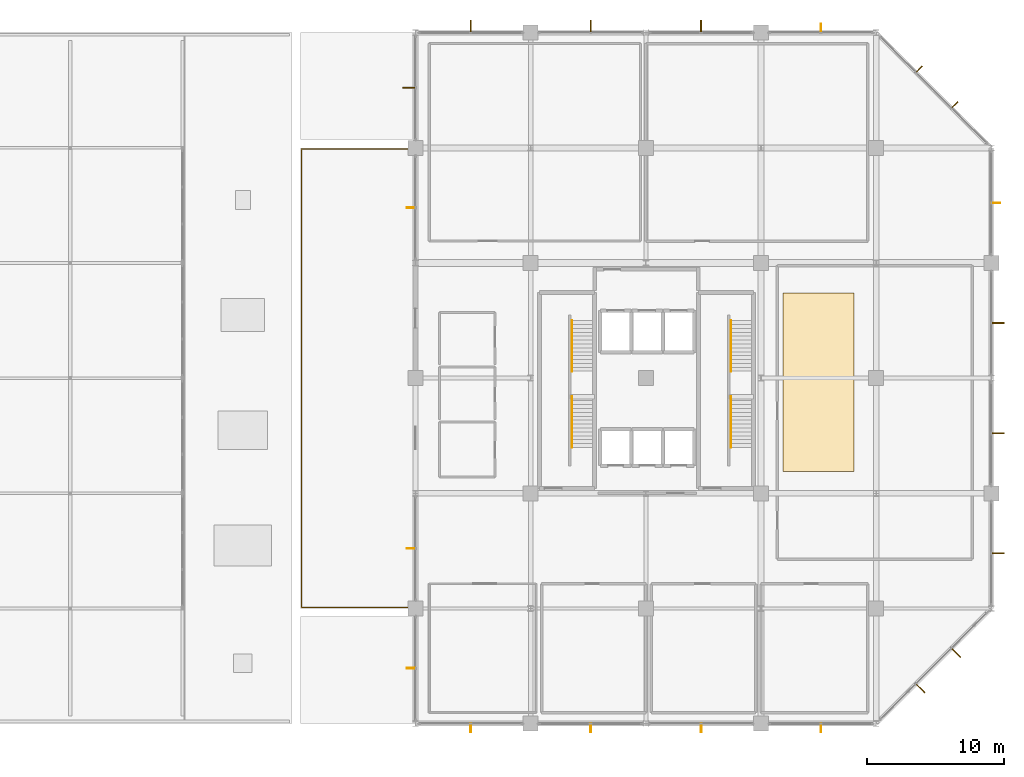
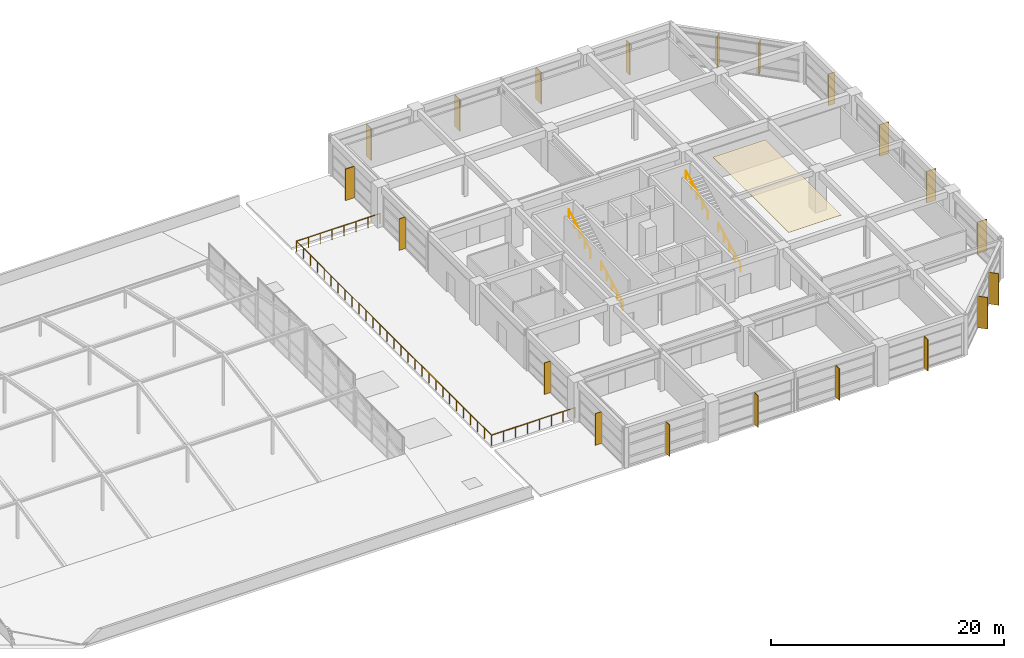
# One storey, part 34 of 34: 20 shading devices, 5 railings, 1 covering.
"""IFC4 building model written with IfcOpenShell, lengths in metres."""

import ifcopenshell
import ifcopenshell.guid

model = None  # the IFC model being written
_history = None  # IfcOwnerHistory: only IFC2X3 demands one
_inside = {}  # id of a spatial element -> (the spatial element, [elements in it])
_under = {}  # id of a project, library or spatial element -> (it, [spatial elements below it])
_declared = {}  # id of a project -> (the project, [libraries it declares])
_typed = {}  # id of a type object -> (the type object, [elements of that type])
_made_of = {}  # id of a material, layer set ... -> (it, [elements and type objects made of it])


def new_model(schema):
    """Start an empty IFC model of exactly this schema.

    Asked for "IFC4X3", IfcOpenShell would pick the latest addendum, in which some entities
    have other attributes; the version numbers below select the first issue.
    IFC2X3 requires an IfcOwnerHistory on every rooted entity: one is made here for all.
    """
    global model, _history
    if schema == "IFC4X3":
        model = ifcopenshell.file(schema_version=(4, 3, 0, 0))
    else:
        model = ifcopenshell.file(schema=schema)
    _inside.clear()
    _under.clear()
    _declared.clear()
    _typed.clear()
    _made_of.clear()
    _history = None
    if model.schema == "IFC2X3":
        org = make("IfcOrganization", Name="unknown")
        user = make(
            "IfcPersonAndOrganization",
            ThePerson=make("IfcPerson", FamilyName="unknown"),
            TheOrganization=org,
        )
        app = make(
            "IfcApplication",
            ApplicationDeveloper=org,
            Version="unknown",
            ApplicationFullName="unknown",
            ApplicationIdentifier="unknown",
        )
        _history = make(
            "IfcOwnerHistory",
            OwningUser=user,
            OwningApplication=app,
            ChangeAction="ADDED",
            CreationDate=0,
        )
    return model


def make(cls, **values):
    """One entity of the class cls with the attributes given. An attribute that is None is left unset."""
    return model.create_entity(
        cls, **{name: value for name, value in values.items() if value is not None}
    )


def rooted(cls, **values):
    """An entity with a GlobalId (a new one), such as an element, a storey or a relation."""
    return make(cls, GlobalId=ifcopenshell.guid.new(), OwnerHistory=_history, **values)


def si_unit(unit_type, name, prefix=None):
    """IfcSIUnit, for example si_unit("LENGTHUNIT", "METRE", prefix="MILLI")."""
    return make("IfcSIUnit", UnitType=unit_type, Prefix=prefix, Name=name)


def assignment(units):
    """IfcUnitAssignment: the units of a project."""
    return None if units is None else make("IfcUnitAssignment", Units=units)


def point(xyz):
    """IfcCartesianPoint."""
    return None if xyz is None else make("IfcCartesianPoint", Coordinates=xyz)


def direction(xyz):
    """IfcDirection."""
    return None if xyz is None else make("IfcDirection", DirectionRatios=xyz)


def frame(location, z_axis=None, x_axis=None):
    """IfcAxis2Placement3D, a coordinate frame: its origin and axes. An axis left out is left unset."""
    return make(
        "IfcAxis2Placement3D",
        Location=point(location),
        Axis=direction(z_axis),
        RefDirection=direction(x_axis),
    )


def frame_2d(location, x_axis=None):
    """IfcAxis2Placement2D, a coordinate frame in the plane: its origin and x axis."""
    return make(
        "IfcAxis2Placement2D", Location=point(location), RefDirection=direction(x_axis)
    )


def origin():
    """The frame at (0, 0, 0) with its axes left unset."""
    return frame((0.0, 0.0, 0.0))


def origin_2d():
    """The frame at (0, 0) in the plane with its x axis left unset."""
    return frame_2d((0.0, 0.0))


def place(relative_to, where):
    """IfcLocalPlacement: puts the frame where relative to a parent placement (None: the world)."""
    return make(
        "IfcLocalPlacement", PlacementRelTo=relative_to, RelativePlacement=where
    )


def context(
    kind, dimensions, precision=None, world=None, true_north=None, identifier=None
):
    """IfcGeometricRepresentationContext, for example the 3D "Model" context."""
    return make(
        "IfcGeometricRepresentationContext",
        ContextIdentifier=identifier,
        ContextType=kind,
        CoordinateSpaceDimension=dimensions,
        Precision=precision,
        WorldCoordinateSystem=world,
        TrueNorth=true_north,
    )


def subcontext(parent, identifier, kind, view, scale=None):
    """IfcGeometricRepresentationSubContext, for example "Body" below "Model"."""
    return make(
        "IfcGeometricRepresentationSubContext",
        ContextIdentifier=identifier,
        ContextType=kind,
        ParentContext=parent,
        TargetScale=scale,
        TargetView=view,
    )


def project(units=None, contexts=None):
    """IfcProject with its units and contexts."""
    return rooted(
        "IfcProject",
        Name="project",
        RepresentationContexts=contexts,
        UnitsInContext=assignment(units),
    )


def spatial(cls, under=None, at=None, **own):
    """A site, building, storey or space (cls), placed at a placement, below another one or the project."""
    s = rooted(cls, ObjectPlacement=at, **own)
    if under is not None:
        _under.setdefault(under.id(), (under, []))[1].append(s)
    return s


def polyline(points):
    """IfcPolyline through the points."""
    return make("IfcPolyline", Points=[point(p) for p in points])


def profile(cls, at=None, kind="AREA", **sizes):
    """A parametric profile (cls). Its sizes go by their IFC names, for example OverallWidth=200.0."""
    return make(cls, ProfileType=kind, Position=at, **sizes)


def rectangle(**sizes):
    """IfcRectangleProfileDef."""
    return profile("IfcRectangleProfileDef", **sizes)


def circle(**sizes):
    """IfcCircleProfileDef."""
    return profile("IfcCircleProfileDef", **sizes)


def outline(outer, holes=None, kind="AREA"):
    """IfcArbitraryClosedProfileDef: a profile drawn as a closed curve; with holes, ...WithVoids."""
    if holes is None:
        return make("IfcArbitraryClosedProfileDef", ProfileType=kind, OuterCurve=outer)
    return make(
        "IfcArbitraryProfileDefWithVoids",
        ProfileType=kind,
        OuterCurve=outer,
        InnerCurves=holes,
    )


def extrude(swept, where, along, depth):
    """IfcExtrudedAreaSolid: the profile swept, set in the frame where, extruded along a direction by depth."""
    return make(
        "IfcExtrudedAreaSolid",
        SweptArea=swept,
        Position=where,
        ExtrudedDirection=direction(along),
        Depth=depth,
    )


def shape(context_of_items, identifier, shape_type, items):
    """IfcShapeRepresentation: the items that make up one representation, for example the "Body"."""
    return make(
        "IfcShapeRepresentation",
        ContextOfItems=context_of_items,
        RepresentationIdentifier=identifier,
        RepresentationType=shape_type,
        Items=items,
    )


def material(Name=None, Category=None):
    """IfcMaterial."""
    return make("IfcMaterial", Name=Name, Category=Category)


def layer(
    of_material, thickness, ventilated=None, Name=None, Category=None, Priority=None
):
    """IfcMaterialLayer: one layer of a wall or slab, of a material (None: an air gap)."""
    return make(
        "IfcMaterialLayer",
        Material=of_material,
        LayerThickness=thickness,
        IsVentilated=ventilated,
        Name=Name,
        Category=Category,
        Priority=Priority,
    )


def layer_set(layers, Name=None):
    """IfcMaterialLayerSet."""
    return make("IfcMaterialLayerSet", MaterialLayers=layers, LayerSetName=Name)


def made_of(thing, what):
    """Note that an element or type object is made of a material, layer set ...; save() writes the relation."""
    if what is not None:
        _made_of.setdefault(what.id(), (what, []))[1].append(thing)
    return thing


def type_object(cls, material=None, **own):
    """A type object (cls), such as IfcWallType, which elements share."""
    return made_of(rooted(cls, **own), material)


def element(
    cls,
    number,
    at=None,
    inside=None,
    cuts=None,
    type_object=None,
    material=None,
    context=None,
    identifier="Body",
    shape_type=None,
    held_by="IfcProductDefinitionShape",
    body=None,
    shapes=None,
    **own,
):
    """One element of the class cls, such as IfcWall. Its Tag is "e" and its number.

    at: its placement. inside: the storey or other place that contains it. cuts: it is an
    opening in that element (IfcRelVoidsElement). A single representation is given by context,
    identifier, shape_type and body (its items); several are given by shapes. held_by: the class
    of the entity that holds the representations. save() writes the other relations.
    """
    e = rooted(cls, Tag="e%d" % number, ObjectPlacement=at, **own)
    if body is not None:
        shapes = [shape(context, identifier, shape_type, body)]
    if shapes is not None:
        e.Representation = make(held_by, Representations=shapes)
    if inside is not None:
        _inside.setdefault(inside.id(), (inside, []))[1].append(e)
    if cuts is not None:
        rooted(
            "IfcRelVoidsElement", RelatingBuildingElement=cuts, RelatedOpeningElement=e
        )
    if type_object is not None:
        _typed.setdefault(type_object.id(), (type_object, []))[1].append(e)
    return made_of(e, material)


def aggregate(whole, parts):
    """IfcRelAggregates: a whole, such as a stair, and the parts it consists of."""
    return rooted("IfcRelAggregates", RelatingObject=whole, RelatedObjects=parts)


def save(model, path):
    """Write the relations noted so far, then the file.

    IfcRelAggregates (storeys below a building ...), IfcRelContainedInSpatialStructure (elements
    in a storey), IfcRelDefinesByType, IfcRelAssociatesMaterial and IfcRelDeclares: one each for
    every whole, place, type object, material and project.
    """
    for whole, parts in _under.values():
        aggregate(whole, parts)
    for where, things in _inside.values():
        rooted(
            "IfcRelContainedInSpatialStructure",
            RelatedElements=things,
            RelatingStructure=where,
        )
    for kind, things in _typed.values():
        rooted("IfcRelDefinesByType", RelatedObjects=things, RelatingType=kind)
    for what, things in _made_of.values():
        rooted("IfcRelAssociatesMaterial", RelatedObjects=things, RelatingMaterial=what)
    for by, libraries in _declared.values():
        rooted("IfcRelDeclares", RelatingContext=by, RelatedDefinitions=libraries)
    model.write(path)


model = new_model("IFC4")

# Units and contexts
model_context = context("Model", 3, precision=1e-05, world=origin(), true_north=direction((0.0, 1.0)))
body_context = subcontext(model_context, "Body", "Model", "MODEL_VIEW")
ifc_project = project(units=[si_unit("LENGTHUNIT", "METRE"), si_unit("AREAUNIT", "SQUARE_METRE"), si_unit("VOLUMEUNIT", "CUBIC_METRE"), si_unit("PLANEANGLEUNIT", "RADIAN"), si_unit("MASSUNIT", "GRAM", prefix="KILO")], contexts=[model_context])

# Site, building, storey
site_placement = place(None, origin())
site = spatial("IfcSite", under=ifc_project, at=site_placement, CompositionType="ELEMENT")
building_placement = place(site_placement, origin())
building = spatial("IfcBuilding", under=site, at=building_placement, Name="Xuanlan Plaza Opera House", CompositionType="ELEMENT")
storey_placement = place(building_placement, frame((0.0, 0.0, 27.89990234375)))
storey = spatial("IfcBuildingStorey", under=building, at=storey_placement, Name="L06", CompositionType="ELEMENT", Elevation=27.89990234375)

# Railing
ifc_material_1 = material(Name="Stainless Steel S30408 and Laminated Glass", Category="steel")
railing_type_1 = type_object("IfcRailingType", Name="ENV-RL-GR01", PredefinedType="GUARDRAIL", material=ifc_material_1)
railing_1_placement = place(storey_placement, frame((125.949951171875, 42.080078125, 0.0)))
element("IfcRailing", 1, at=railing_1_placement, inside=storey, type_object=railing_type_1, Name="Terrace Perimeter Guardrail TERR-L06", PredefinedType="GUARDRAIL", context=body_context, shape_type="SweptSolid", body=[
    extrude(circle(Radius=0.02392578125, at=origin_2d()), frame((0.0, 0.0, 1.076171875), z_axis=(-1.0, 0.0, 0.0), x_axis=(0.0, -1.0, 0.0)), (0.0, 0.0, 1.0), 8.27001953125),
    extrude(circle(Radius=0.02392578125, at=origin_2d()), frame((-8.27001953125, 0.0, 1.076171875), z_axis=(0.0, 1.0, 0.0), x_axis=(-1.0, 0.0, 0.0)), (0.0, 0.0, 1.0), 33.43994140625),
    extrude(circle(Radius=0.02392578125, at=origin_2d()), frame((-8.27001953125, 33.43994140625, 1.076171875), z_axis=(1.0, 0.0, 0.0), x_axis=(0.0, 1.0, 0.0)), (0.0, 0.0, 1.0), 8.27001953125),
    extrude(circle(Radius=0.02099609375, at=origin_2d()), origin(), (0.0, 0.0, 1.0), 1.052001953125),
    extrude(circle(Radius=0.02099609375, at=origin_2d()), frame((-1.181396484375, 0.0, 0.0)), (0.0, 0.0, 1.0), 1.052001953125),
    extrude(circle(Radius=0.02099609375, at=origin_2d()), frame((-2.36279296875, 0.0, 0.0)), (0.0, 0.0, 1.0), 1.052001953125),
    extrude(circle(Radius=0.02099609375, at=origin_2d()), frame((-3.544189453125, 0.0, 0.0)), (0.0, 0.0, 1.0), 1.052001953125),
    extrude(circle(Radius=0.02099609375, at=origin_2d()), frame((-4.725830078125, 0.0, 0.0)), (0.0, 0.0, 1.0), 1.052001953125),
    extrude(circle(Radius=0.02099609375, at=origin_2d()), frame((-5.9072265625, 0.0, 0.0)), (0.0, 0.0, 1.0), 1.052001953125),
    extrude(circle(Radius=0.02099609375, at=origin_2d()), frame((-7.088623046875, 0.0, 0.0)), (0.0, 0.0, 1.0), 1.052001953125),
    extrude(circle(Radius=0.02099609375, at=origin_2d()), frame((-8.27001953125, 0.0, 0.0)), (0.0, 0.0, 1.0), 1.052001953125),
    extrude(circle(Radius=0.02099609375, at=origin_2d()), frame((-8.27001953125, 1.1943359375, 0.0)), (0.0, 0.0, 1.0), 1.052001953125),
    extrude(circle(Radius=0.02099609375, at=origin_2d()), frame((-8.27001953125, 2.388671875, 0.0)), (0.0, 0.0, 1.0), 1.052001953125),
    extrude(circle(Radius=0.02099609375, at=origin_2d()), frame((-8.27001953125, 3.582763671875, 0.0)), (0.0, 0.0, 1.0), 1.052001953125),
    extrude(circle(Radius=0.02099609375, at=origin_2d()), frame((-8.27001953125, 4.777099609375, 0.0)), (0.0, 0.0, 1.0), 1.052001953125),
    extrude(circle(Radius=0.02099609375, at=origin_2d()), frame((-8.27001953125, 5.971435546875, 0.0)), (0.0, 0.0, 1.0), 1.052001953125),
    extrude(circle(Radius=0.02099609375, at=origin_2d()), frame((-8.27001953125, 7.165771484375, 0.0)), (0.0, 0.0, 1.0), 1.052001953125),
    extrude(circle(Radius=0.02099609375, at=origin_2d()), frame((-8.27001953125, 8.35986328125, 0.0)), (0.0, 0.0, 1.0), 1.052001953125),
    extrude(circle(Radius=0.02099609375, at=origin_2d()), frame((-8.27001953125, 9.55419921875, 0.0)), (0.0, 0.0, 1.0), 1.052001953125),
    extrude(circle(Radius=0.02099609375, at=origin_2d()), frame((-8.27001953125, 10.74853515625, 0.0)), (0.0, 0.0, 1.0), 1.052001953125),
    extrude(circle(Radius=0.02099609375, at=origin_2d()), frame((-8.27001953125, 11.94287109375, 0.0)), (0.0, 0.0, 1.0), 1.052001953125),
    extrude(circle(Radius=0.02099609375, at=origin_2d()), frame((-8.27001953125, 13.13720703125, 0.0)), (0.0, 0.0, 1.0), 1.052001953125),
    extrude(circle(Radius=0.02099609375, at=origin_2d()), frame((-8.27001953125, 14.331298828125, 0.0)), (0.0, 0.0, 1.0), 1.052001953125),
    extrude(circle(Radius=0.02099609375, at=origin_2d()), frame((-8.27001953125, 15.525634765625, 0.0)), (0.0, 0.0, 1.0), 1.052001953125),
    extrude(circle(Radius=0.02099609375, at=origin_2d()), frame((-8.27001953125, 16.719970703125, 0.0)), (0.0, 0.0, 1.0), 1.052001953125),
    extrude(circle(Radius=0.02099609375, at=origin_2d()), frame((-8.27001953125, 17.914306640625, 0.0)), (0.0, 0.0, 1.0), 1.052001953125),
    extrude(circle(Radius=0.02099609375, at=origin_2d()), frame((-8.27001953125, 19.108642578125, 0.0)), (0.0, 0.0, 1.0), 1.052001953125),
    extrude(circle(Radius=0.02099609375, at=origin_2d()), frame((-8.27001953125, 20.302734375, 0.0)), (0.0, 0.0, 1.0), 1.052001953125),
    extrude(circle(Radius=0.02099609375, at=origin_2d()), frame((-8.27001953125, 21.4970703125, 0.0)), (0.0, 0.0, 1.0), 1.052001953125),
    extrude(circle(Radius=0.02099609375, at=origin_2d()), frame((-8.27001953125, 22.69140625, 0.0)), (0.0, 0.0, 1.0), 1.052001953125),
    extrude(circle(Radius=0.02099609375, at=origin_2d()), frame((-8.27001953125, 23.8857421875, 0.0)), (0.0, 0.0, 1.0), 1.052001953125),
    extrude(circle(Radius=0.02099609375, at=origin_2d()), frame((-8.27001953125, 25.080078125, 0.0)), (0.0, 0.0, 1.0), 1.052001953125),
    extrude(circle(Radius=0.02099609375, at=origin_2d()), frame((-8.27001953125, 26.274169921875, 0.0)), (0.0, 0.0, 1.0), 1.052001953125),
    extrude(circle(Radius=0.02099609375, at=origin_2d()), frame((-8.27001953125, 27.468505859375, 0.0)), (0.0, 0.0, 1.0), 1.052001953125),
    extrude(circle(Radius=0.02099609375, at=origin_2d()), frame((-8.27001953125, 28.662841796875, 0.0)), (0.0, 0.0, 1.0), 1.052001953125),
    extrude(circle(Radius=0.02099609375, at=origin_2d()), frame((-8.27001953125, 29.857177734375, 0.0)), (0.0, 0.0, 1.0), 1.052001953125),
    extrude(circle(Radius=0.02099609375, at=origin_2d()), frame((-8.27001953125, 31.05126953125, 0.0)), (0.0, 0.0, 1.0), 1.052001953125),
    extrude(circle(Radius=0.02099609375, at=origin_2d()), frame((-8.27001953125, 32.24560546875, 0.0)), (0.0, 0.0, 1.0), 1.052001953125),
    extrude(circle(Radius=0.02099609375, at=origin_2d()), frame((-8.27001953125, 33.43994140625, 0.0)), (0.0, 0.0, 1.0), 1.052001953125),
    extrude(circle(Radius=0.02099609375, at=origin_2d()), frame((-7.088623046875, 33.43994140625, 0.0)), (0.0, 0.0, 1.0), 1.052001953125),
    extrude(circle(Radius=0.02099609375, at=origin_2d()), frame((-5.9072265625, 33.43994140625, 0.0)), (0.0, 0.0, 1.0), 1.052001953125),
    extrude(circle(Radius=0.02099609375, at=origin_2d()), frame((-4.725830078125, 33.43994140625, 0.0)), (0.0, 0.0, 1.0), 1.052001953125),
    extrude(circle(Radius=0.02099609375, at=origin_2d()), frame((-3.544189453125, 33.43994140625, 0.0)), (0.0, 0.0, 1.0), 1.052001953125),
    extrude(circle(Radius=0.02099609375, at=origin_2d()), frame((-2.36279296875, 33.43994140625, 0.0)), (0.0, 0.0, 1.0), 1.052001953125),
    extrude(circle(Radius=0.02099609375, at=origin_2d()), frame((-1.181396484375, 33.43994140625, 0.0)), (0.0, 0.0, 1.0), 1.052001953125),
    extrude(circle(Radius=0.02099609375, at=origin_2d()), frame((0.0, 33.43994140625, 0.0)), (0.0, 0.0, 1.0), 1.052001953125),
])

# Shading devices
ifc_material_2 = material(Name="Anodised Aluminium 6063-T6", Category="aluminium")
shading_device_type_1 = type_object("IfcShadingDeviceType", Name="ENV-SHD-BRS01", PredefinedType="JALOUSIE", material=ifc_material_2)
for number, where, z_axis, x_axis, name in (
    (2, (130.02490234375, 33.27490234375, 0.0400390625), (0.0, 0.0, 1.0), (0.0, -1.0, 0.0), "Parametric Sunshade Fin L06-0279"),
    (3, (138.77490234375, 33.27490234375, 0.0400390625), (0.0, 0.0, 1.0), (0.0, -1.0, 0.0), "Parametric Sunshade Fin L06-0280"),
    (4, (146.824951171875, 33.27490234375, 0.0400390625), (0.0, 0.0, 1.0), (0.0, -1.0, 0.0), "Parametric Sunshade Fin L06-0281"),
    (5, (155.574951171875, 33.27490234375, 0.0400390625), (0.0, 0.0, 1.0), (0.0, -1.0, 0.0), "Parametric Sunshade Fin L06-0282"),
    (6, (168.324951171875, 71.574951171875, 0.0400390625), (0.0, 0.0, 1.0), (1.0, 0.0, 0.0), "Parametric Sunshade Fin L06-0288"),
    (7, (165.330078125, 78.7294921875, 0.0400390625), (0.0, 0.0, 1.0), (0.707106781187, 0.707106781187, 0.0), "Parametric Sunshade Fin L06-0289"),
    (8, (162.7294921875, 81.330078125, 0.0400390625), (0.0, 0.0, 1.0), (0.707106781187, 0.707106781187, 0.0), "Parametric Sunshade Fin L06-0290"),
    (9, (155.574951171875, 84.324951171875, 0.0400390625), (0.0, 0.0, 1.0), (0.0, 1.0, 0.0), "Parametric Sunshade Fin L06-0291"),
    (10, (125.675048828125, 71.22509765625, 0.0400390625), (0.0, 0.0, 1.0), (-1.0, 0.0, 0.0), "Parametric Sunshade Fin L06-0296"),
    (11, (125.675048828125, 46.375, 0.0400390625), (0.0, 0.0, 1.0), (-1.0, 0.0, 0.0), "Parametric Sunshade Fin L06-0297"),
    (12, (125.675048828125, 37.625, 0.0400390625), (0.0, 0.0, 1.0), (-1.0, 0.0, 0.0), "Parametric Sunshade Fin L06-0298"),
):
    element("IfcShadingDevice", number, at=place(storey_placement, frame(where, z_axis=z_axis, x_axis=x_axis)), inside=storey, type_object=shading_device_type_1, Name=name, PredefinedType="JALOUSIE", context=body_context, shape_type="SweptSolid", body=[
        extrude(rectangle(XDim=0.639892578125, YDim=0.070068359375, at=origin_2d()), origin(), (0.0, 0.0, 1.0), 3.300048828125),
    ])
shading_device_type_2 = type_object("IfcShadingDeviceType", Name="ENV-SHD-BRS02", PredefinedType="JALOUSIE", material=ifc_material_2)
for number, where, z_axis, x_axis, name in (
    (13, (162.82861328125, 36.1708984375, 0.0400390625), (0.0, 0.0, 1.0), (0.707106781187, -0.707106781187, 0.0), "Parametric Sunshade Fin L06-0283"),
    (14, (165.42919921875, 38.771484375, 0.0400390625), (0.0, 0.0, 1.0), (0.707106781187, -0.707106781187, 0.0), "Parametric Sunshade Fin L06-0284"),
    (15, (168.465087890625, 46.02490234375, 0.0400390625), (0.0, 0.0, 1.0), (1.0, 0.0, 0.0), "Parametric Sunshade Fin L06-0285"),
    (16, (168.465087890625, 54.77490234375, 0.0400390625), (0.0, 0.0, 1.0), (1.0, 0.0, 0.0), "Parametric Sunshade Fin L06-0286"),
    (17, (168.465087890625, 62.824951171875, 0.0400390625), (0.0, 0.0, 1.0), (1.0, 0.0, 0.0), "Parametric Sunshade Fin L06-0287"),
    (18, (146.824951171875, 84.465087890625, 0.0400390625), (0.0, 0.0, 1.0), (0.0, 1.0, 0.0), "Parametric Sunshade Fin L06-0292"),
    (19, (138.77490234375, 84.465087890625, 0.0400390625), (0.0, 0.0, 1.0), (0.0, 1.0, 0.0), "Parametric Sunshade Fin L06-0293"),
    (20, (130.02490234375, 84.465087890625, 0.0400390625), (0.0, 0.0, 1.0), (0.0, 1.0, 0.0), "Parametric Sunshade Fin L06-0294"),
    (21, (125.534912109375, 79.97509765625, 0.0400390625), (0.0, 0.0, 1.0), (-1.0, 0.0, 0.0), "Parametric Sunshade Fin L06-0295"),
):
    element("IfcShadingDevice", number, at=place(storey_placement, frame(where, z_axis=z_axis, x_axis=x_axis)), inside=storey, type_object=shading_device_type_2, Name=name, PredefinedType="JALOUSIE", context=body_context, shape_type="SweptSolid", body=[
        extrude(rectangle(XDim=0.919921875, YDim=0.080078125, at=origin_2d()), origin(), (0.0, 0.0, 1.0), 3.300048828125),
    ])

# Covering
ifc_layer = layer(ifc_material_2, 0.034912109375)
ifc_layer_set = layer_set([ifc_layer], Name="Anodised Aluminium 6063-T6")
covering_type = type_object("IfcCoveringType", Name="INT-COV-CLG-02", PredefinedType="CEILING", material=ifc_layer_set)
covering_placement = place(storey_placement, frame((0.0, 0.0, 3.925048828125)))
element("IfcCovering", 22, at=covering_placement, inside=storey, type_object=covering_type, Name="Acoustic Baffle Ceiling L06", PredefinedType="CEILING", context=body_context, shape_type="SweptSolid", body=[
    extrude(outline(polyline([(152.800048828125, 52.0), (158.0, 52.0), (158.0, 65.0), (152.800048828125, 65.0), (152.800048828125, 52.0)])), origin(), (0.0, 0.0, 1.0), 0.03515625),
])

# Railings
ifc_material_3 = material(Name="Stainless Steel S30408", Category="steel")
railing_type_2 = type_object("IfcRailingType", Name="INT-RL-HR01", PredefinedType="HANDRAIL", material=ifc_material_3)
railing_2_placement = place(storey_placement, frame((137.409912109375, 53.739990234375, 0.150146484375)))
element("IfcRailing", 23, at=railing_2_placement, inside=storey, type_object=railing_type_2, Name="Stair Handrail ST-T1 L06 Flight 1", PredefinedType="HANDRAIL", context=body_context, shape_type="SweptSolid", body=[
    extrude(circle(Radius=0.02392578125, at=origin_2d()), frame((0.0, 0.0, 0.8759765625), z_axis=(0.0, 0.88492707638, 0.465729609848), x_axis=(-1.0, 0.0, 0.0)), (0.0, 0.0, 1.0), 4.186767578125),
    extrude(circle(Radius=0.02099609375, at=origin_2d()), origin(), (0.0, 0.0, 1.0), 0.851806640625),
    extrude(circle(Radius=0.02099609375, at=origin_2d()), frame((0.0, 0.92626953125, 0.487548828125)), (0.0, 0.0, 1.0), 0.851806640625),
    extrude(circle(Radius=0.02099609375, at=origin_2d()), frame((0.0, 1.8525390625, 0.97509765625)), (0.0, 0.0, 1.0), 0.851806640625),
    extrude(circle(Radius=0.02099609375, at=origin_2d()), frame((0.0, 2.77880859375, 1.46240234375)), (0.0, 0.0, 1.0), 0.851806640625),
    extrude(circle(Radius=0.02099609375, at=origin_2d()), frame((0.0, 3.705078125, 1.949951171875)), (0.0, 0.0, 1.0), 0.851806640625),
])
railing_3_placement = place(storey_placement, frame((137.409912109375, 59.294921875, 2.25)))
element("IfcRailing", 24, at=railing_3_placement, inside=storey, type_object=railing_type_2, Name="Stair Handrail ST-T1 L06 Flight 2", PredefinedType="HANDRAIL", context=body_context, shape_type="SweptSolid", body=[
    extrude(circle(Radius=0.02392578125, at=origin_2d()), frame((0.0, 0.0, 0.8759765625), z_axis=(0.0, 0.884903043767, 0.46577527106), x_axis=(-1.0, 0.0, 0.0)), (0.0, 0.0, 1.0), 4.18701171875),
    extrude(circle(Radius=0.02099609375, at=origin_2d()), origin(), (0.0, 0.0, 1.0), 0.851806640625),
    extrude(circle(Radius=0.02099609375, at=origin_2d()), frame((0.0, 0.92626953125, 0.487548828125)), (0.0, 0.0, 1.0), 0.851806640625),
    extrude(circle(Radius=0.02099609375, at=origin_2d()), frame((0.0, 1.8525390625, 0.97509765625)), (0.0, 0.0, 1.0), 0.851806640625),
    extrude(circle(Radius=0.02099609375, at=origin_2d()), frame((0.0, 2.77880859375, 1.462646484375)), (0.0, 0.0, 1.0), 0.851806640625),
    extrude(circle(Radius=0.02099609375, at=origin_2d()), frame((0.0, 3.705078125, 1.9501953125)), (0.0, 0.0, 1.0), 0.851806640625),
])
railing_4_placement = place(storey_placement, frame((149.010009765625, 53.739990234375, 0.150146484375)))
element("IfcRailing", 25, at=railing_4_placement, inside=storey, type_object=railing_type_2, Name="Stair Handrail ST-T2 L06 Flight 1", PredefinedType="HANDRAIL", context=body_context, shape_type="SweptSolid", body=[
    extrude(circle(Radius=0.02392578125, at=origin_2d()), frame((0.0, 0.0, 0.8759765625), z_axis=(0.0, 0.88492707638, 0.465729609848), x_axis=(-1.0, 0.0, 0.0)), (0.0, 0.0, 1.0), 4.186767578125),
    extrude(circle(Radius=0.02099609375, at=origin_2d()), origin(), (0.0, 0.0, 1.0), 0.851806640625),
    extrude(circle(Radius=0.02099609375, at=origin_2d()), frame((0.0, 0.92626953125, 0.487548828125)), (0.0, 0.0, 1.0), 0.851806640625),
    extrude(circle(Radius=0.02099609375, at=origin_2d()), frame((0.0, 1.8525390625, 0.97509765625)), (0.0, 0.0, 1.0), 0.851806640625),
    extrude(circle(Radius=0.02099609375, at=origin_2d()), frame((0.0, 2.77880859375, 1.46240234375)), (0.0, 0.0, 1.0), 0.851806640625),
    extrude(circle(Radius=0.02099609375, at=origin_2d()), frame((0.0, 3.705078125, 1.949951171875)), (0.0, 0.0, 1.0), 0.851806640625),
])
railing_5_placement = place(storey_placement, frame((149.010009765625, 59.294921875, 2.25)))
element("IfcRailing", 26, at=railing_5_placement, inside=storey, type_object=railing_type_2, Name="Stair Handrail ST-T2 L06 Flight 2", PredefinedType="HANDRAIL", context=body_context, shape_type="SweptSolid", body=[
    extrude(circle(Radius=0.02392578125, at=origin_2d()), frame((0.0, 0.0, 0.8759765625), z_axis=(0.0, 0.884903043767, 0.46577527106), x_axis=(-1.0, 0.0, 0.0)), (0.0, 0.0, 1.0), 4.18701171875),
    extrude(circle(Radius=0.02099609375, at=origin_2d()), origin(), (0.0, 0.0, 1.0), 0.851806640625),
    extrude(circle(Radius=0.02099609375, at=origin_2d()), frame((0.0, 0.92626953125, 0.487548828125)), (0.0, 0.0, 1.0), 0.851806640625),
    extrude(circle(Radius=0.02099609375, at=origin_2d()), frame((0.0, 1.8525390625, 0.97509765625)), (0.0, 0.0, 1.0), 0.851806640625),
    extrude(circle(Radius=0.02099609375, at=origin_2d()), frame((0.0, 2.77880859375, 1.462646484375)), (0.0, 0.0, 1.0), 0.851806640625),
    extrude(circle(Radius=0.02099609375, at=origin_2d()), frame((0.0, 3.705078125, 1.9501953125)), (0.0, 0.0, 1.0), 0.851806640625),
])

save(model, "model.ifc")
